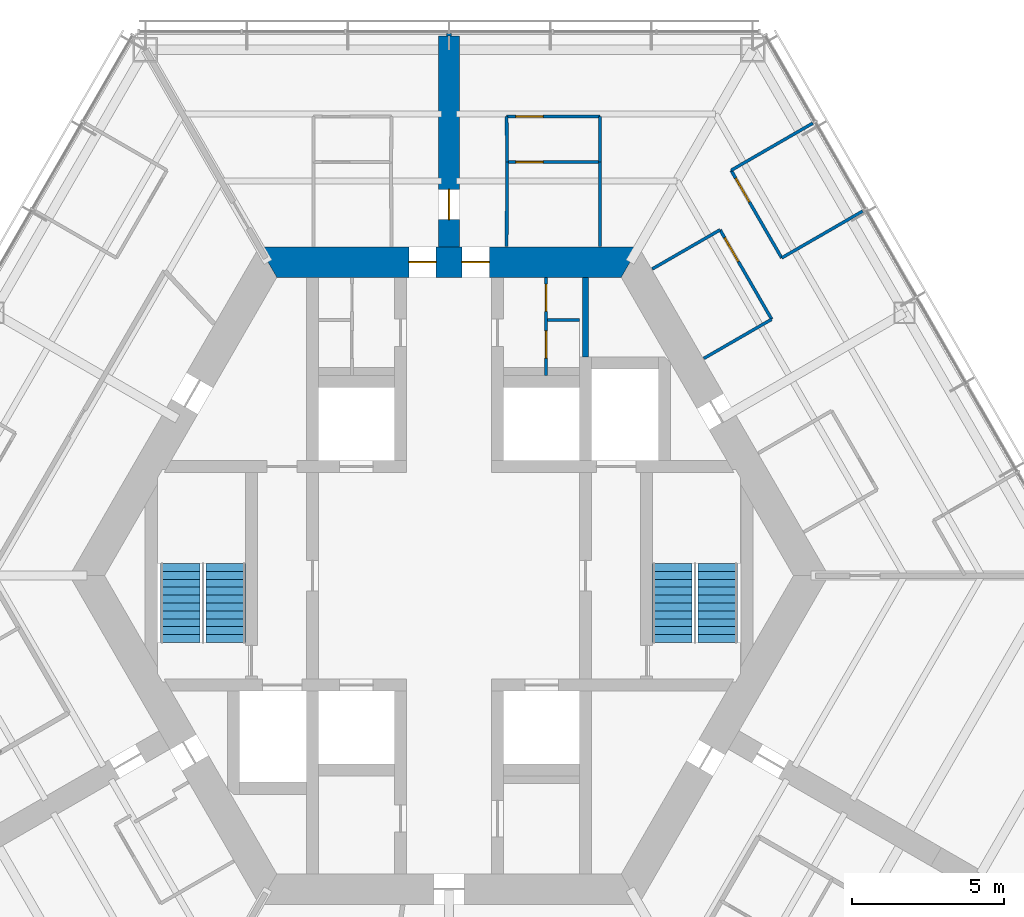
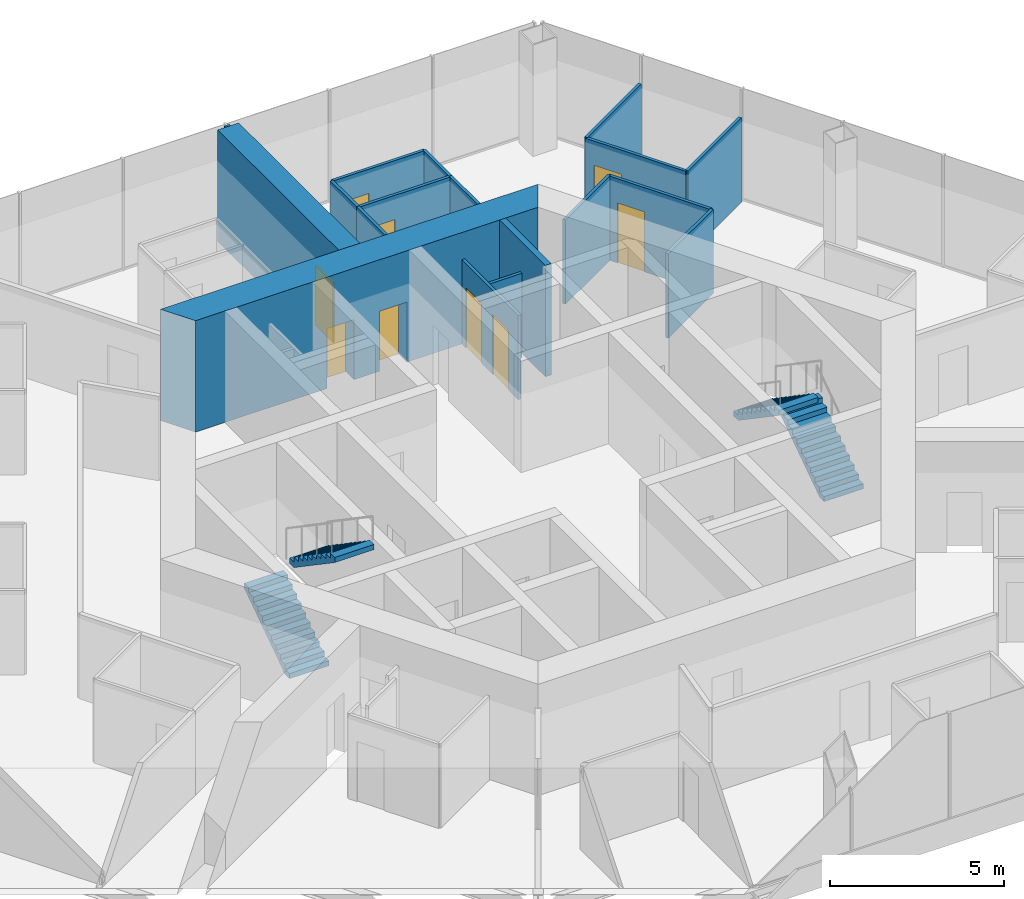
# One storey, part 16 of 19: 18 walls, 9 doors, 4 stair flights, 9 openings, 2 elements without a shape of their own.
"""IFC4 building model written with IfcOpenShell, lengths in metres."""

from ifc_helpers import new_model, si_unit, direction, frame, frame_2d, origin, place, context, subcontext, project, spatial, polyline, rectangle, outline, extrude, material, layer, layer_set, type_object, element, fill, aggregate, save


model = new_model("IFC4")

# Units and contexts
model_context = context("Model", 3, precision=1e-05, world=origin(), true_north=direction((0.0, 1.0)))
body_context = subcontext(model_context, "Body", "Model", "MODEL_VIEW")
ifc_project = project(units=[si_unit("LENGTHUNIT", "METRE"), si_unit("AREAUNIT", "SQUARE_METRE"), si_unit("VOLUMEUNIT", "CUBIC_METRE"), si_unit("PLANEANGLEUNIT", "RADIAN"), si_unit("MASSUNIT", "GRAM", prefix="KILO")], contexts=[model_context])

# Site, building, storey
site_placement = place(None, origin())
site = spatial("IfcSite", under=ifc_project, at=site_placement, CompositionType="ELEMENT")
building_placement = place(site_placement, origin())
building = spatial("IfcBuilding", under=site, at=building_placement, Name="Kasaneha Research Tower", CompositionType="ELEMENT")
storey_placement = place(building_placement, frame((0.0, 0.0, 164.300048828125)))
storey = spatial("IfcBuildingStorey", under=building, at=storey_placement, Name="L41", CompositionType="ELEMENT", Elevation=164.300048828125)

# Wall, openings, doors
ifc_material_1 = material(Name="Concrete Fc70", Category="concrete")
ifc_layer_1 = layer(ifc_material_1, 1.0)
ifc_layer_set_1 = layer_set([ifc_layer_1], Name="Core wall 1000 Fc70")
wall_type_1 = type_object("IfcWallType", Name="Core wall 1000 Fc70", PredefinedType="SHEAR", material=ifc_layer_set_1)
wall_1_placement = place(storey_placement, frame((5.961181640625, 10.324951171875, 0.0), z_axis=(0.0, 0.0, 1.0), x_axis=(-1.0, 0.0, 0.0)))
wall_1 = element("IfcWall", 1, at=wall_1_placement, inside=storey, type_object=wall_type_1, Name="Core wall 090 L41", PredefinedType="SHEAR", context=body_context, shape_type="SweptSolid", body=[
    extrude(outline(polyline([(-0.28857421875, -0.5), (4.63623046875, -0.5), (5.5361328125, -0.5), (6.38623046875, -0.5), (7.2861328125, -0.5), (12.2109375, -0.5), (11.6337890625, 0.5), (7.2861328125, 0.5), (6.38623046875, 0.5), (5.5361328125, 0.5), (4.63623046875, 0.5), (0.28857421875, 0.5), (-0.28857421875, -0.5)])), origin(), (0.0, 0.0, 1.0), 3.89990234375),
])
opening_1_placement = place(wall_1_placement, frame((6.38623046875, 0.0, 0.0)))
opening_1 = element("IfcOpeningElement", 2, at=opening_1_placement, cuts=wall_1, Name="Opening L41-D01", PredefinedType="OPENING", context=body_context, shape_type="SweptSolid", body=[
    extrude(rectangle(XDim=0.89990234375, YDim=2.10009765625, at=frame_2d((0.449951171875, 1.050048828125))), frame((0.0, 0.510009765625, 0.0), z_axis=(0.0, -1.0, 0.0), x_axis=(1.0, 0.0, 0.0)), (0.0, 0.0, 1.0), 1.02001953125),
])
opening_2_placement = place(wall_1_placement, frame((4.63623046875, 0.0, 0.0)))
opening_2 = element("IfcOpeningElement", 3, at=opening_2_placement, cuts=wall_1, Name="Opening L41-D02", PredefinedType="OPENING", context=body_context, shape_type="SweptSolid", body=[
    extrude(rectangle(XDim=0.89990234375, YDim=2.10009765625, at=frame_2d((0.449951171875, 1.050048828125))), frame((0.0, 0.510009765625, 0.0), z_axis=(0.0, -1.0, 0.0), x_axis=(1.0, 0.0, 0.0)), (0.0, 0.0, 1.0), 1.02001953125),
])
ifc_material_2 = material(Name="Steel", Category="steel")
door_type_1 = type_object("IfcDoorType", Name="Toilet door FD20 900x2100", OperationType="NOTDEFINED", PredefinedType="DOOR", material=ifc_material_2)
door_1_placement = place(opening_1_placement, origin())
door_1 = element("IfcDoor", 4, at=door_1_placement, inside=storey, type_object=door_type_1, Name="Core door north 1 L41-D01", OperationType="SINGLE_SWING_RIGHT", OverallHeight=2.10009765625, OverallWidth=0.89990234375, PredefinedType="DOOR", context=body_context, shape_type="SweptSolid", body=[
    extrude(rectangle(XDim=0.89990234375, YDim=2.10009765625, at=frame_2d((0.449951171875, 1.050048828125))), frame((0.0, 0.02490234375, 0.0), z_axis=(0.0, -1.0, 0.0), x_axis=(1.0, 0.0, 0.0)), (0.0, 0.0, 1.0), 0.050048828125),
])
fill(opening_1, door_1)
door_2_placement = place(opening_2_placement, origin())
door_2 = element("IfcDoor", 5, at=door_2_placement, inside=storey, type_object=door_type_1, Name="Core door north 2 L41-D02", OperationType="SINGLE_SWING_LEFT", OverallHeight=2.10009765625, OverallWidth=0.89990234375, PredefinedType="DOOR", context=body_context, shape_type="SweptSolid", body=[
    extrude(rectangle(XDim=0.89990234375, YDim=2.10009765625, at=frame_2d((0.449951171875, 1.050048828125))), frame((0.0, 0.02490234375, 0.0), z_axis=(0.0, -1.0, 0.0), x_axis=(1.0, 0.0, 0.0)), (0.0, 0.0, 1.0), 0.050048828125),
])
fill(opening_2, door_2)

ifc_material_3 = material(Name="Gypsum board on steel studs, one layer each side", Category="steel")
ifc_layer_2 = layer(ifc_material_3, 0.10009765625)
ifc_layer_set_2 = layer_set([ifc_layer_2], Name="Office partition 100")
wall_type_2 = type_object("IfcWallType", Name="Office partition 100", PredefinedType="PARTITIONING", material=ifc_layer_set_2)
wall_2_placement = place(storey_placement, frame((3.199951171875, 6.60009765625, 0.0), z_axis=(0.0, 0.0, 1.0), x_axis=(0.0, 1.0, 0.0)))
wall_2 = element("IfcWall", 6, at=wall_2_placement, inside=storey, type_object=wall_type_2, Name="Office partition TBF1 L41", PredefinedType="PARTITIONING", context=body_context, shape_type="SweptSolid", body=[
    extrude(rectangle(XDim=3.224853515625, YDim=0.10009765625, at=frame_2d((1.6123046875, 0.0))), origin(), (0.0, 0.0, 1.0), 2.949951171875),
])
opening_3_placement = place(wall_2_placement, frame((0.5625, 0.0, 0.0)))
opening_3 = element("IfcOpeningElement", 7, at=opening_3_placement, cuts=wall_2, Name="Opening L41-D22", PredefinedType="OPENING", context=body_context, shape_type="SweptSolid", body=[
    extrude(rectangle(XDim=0.89990234375, YDim=2.10009765625, at=frame_2d((0.449951171875, 1.050048828125))), frame((0.0, 0.06005859375, 0.0), z_axis=(0.0, -1.0, 0.0), x_axis=(1.0, 0.0, 0.0)), (0.0, 0.0, 1.0), 0.1201171875),
])
opening_4_placement = place(wall_2_placement, frame((2.10009765625, 0.0, 0.0)))
opening_4 = element("IfcOpeningElement", 8, at=opening_4_placement, cuts=wall_2, Name="Opening L41-D23", PredefinedType="OPENING", context=body_context, shape_type="SweptSolid", body=[
    extrude(rectangle(XDim=0.89990234375, YDim=2.10009765625, at=frame_2d((0.449951171875, 1.050048828125))), frame((0.0, 0.06005859375, 0.0), z_axis=(0.0, -1.0, 0.0), x_axis=(1.0, 0.0, 0.0)), (0.0, 0.0, 1.0), 0.1201171875),
])
ifc_material_4 = material(Name="Steel", Category="steel")
door_type_2 = type_object("IfcDoorType", Name="Toilet lobby door FD30 900x2100", OperationType="NOTDEFINED", PredefinedType="DOOR", material=ifc_material_4)
door_3_placement = place(opening_3_placement, origin())
door_3 = element("IfcDoor", 9, at=door_3_placement, inside=storey, type_object=door_type_2, Name="Women's WC door L41-D22", OperationType="SINGLE_SWING_RIGHT", OverallHeight=2.10009765625, OverallWidth=0.89990234375, PredefinedType="DOOR", context=body_context, shape_type="SweptSolid", body=[
    extrude(rectangle(XDim=0.89990234375, YDim=2.10009765625, at=frame_2d((0.449951171875, 1.050048828125))), frame((0.0, 0.02490234375, 0.0), z_axis=(0.0, -1.0, 0.0), x_axis=(1.0, 0.0, 0.0)), (0.0, 0.0, 1.0), 0.050048828125),
])
fill(opening_3, door_3)
door_4_placement = place(opening_4_placement, origin())
door_4 = element("IfcDoor", 10, at=door_4_placement, inside=storey, type_object=door_type_2, Name="Parents' room door L41-D23", OperationType="SINGLE_SWING_RIGHT", OverallHeight=2.10009765625, OverallWidth=0.89990234375, PredefinedType="DOOR", context=body_context, shape_type="SweptSolid", body=[
    extrude(rectangle(XDim=0.89990234375, YDim=2.10009765625, at=frame_2d((0.449951171875, 1.050048828125))), frame((0.0, 0.02490234375, 0.0), z_axis=(0.0, -1.0, 0.0), x_axis=(1.0, 0.0, 0.0)), (0.0, 0.0, 1.0), 0.050048828125),
])
fill(opening_4, door_4)

# Wall
wall_3_placement = place(storey_placement, frame((3.25, 8.425048828125, 0.0), z_axis=(0.0, 0.0, 1.0), x_axis=(1.0, 0.0, 0.0)))
element("IfcWall", 11, at=wall_3_placement, inside=storey, type_object=wall_type_2, Name="Office partition TBF2 L41", PredefinedType="PARTITIONING", context=body_context, shape_type="SweptSolid", body=[
    extrude(rectangle(XDim=1.050048828125, YDim=0.10009765625, at=frame_2d((0.52490234375, 0.0))), origin(), (0.0, 0.0, 1.0), 2.949951171875),
])

# Wall, opening, door
wall_4_placement = place(storey_placement, frame((1.89990234375, 13.6201171875, 0.0), z_axis=(0.0, 0.0, 1.0), x_axis=(1.0, 0.0, 0.0)))
wall_4 = element("IfcWall", 12, at=wall_4_placement, inside=storey, type_object=wall_type_2, Name="Office partition FAE01 L41", PredefinedType="PARTITIONING", context=body_context, shape_type="SweptSolid", body=[
    extrude(rectangle(XDim=3.071044921875, YDim=0.10009765625, at=frame_2d((1.53564453125, 0.0))), origin(), (0.0, 0.0, 1.0), 2.949951171875),
])
opening_5_placement = place(wall_4_placement, frame((0.300048828125, 0.0, 0.0)))
opening_5 = element("IfcOpeningElement", 13, at=opening_5_placement, cuts=wall_4, Name="Opening L41-D27", PredefinedType="OPENING", context=body_context, shape_type="SweptSolid", body=[
    extrude(rectangle(XDim=0.89990234375, YDim=2.10009765625, at=frame_2d((0.449951171875, 1.050048828125))), frame((0.0, 0.06005859375, 0.0), z_axis=(0.0, -1.0, 0.0), x_axis=(1.0, 0.0, 0.0)), (0.0, 0.0, 1.0), 0.1201171875),
])
door_5_placement = place(opening_5_placement, origin())
door_5 = element("IfcDoor", 14, at=door_5_placement, inside=storey, type_object=door_type_2, Name="Women's WC door L41-D27", OperationType="SINGLE_SWING_LEFT", OverallHeight=2.10009765625, OverallWidth=0.89990234375, PredefinedType="DOOR", context=body_context, shape_type="SweptSolid", body=[
    extrude(rectangle(XDim=0.89990234375, YDim=2.10009765625, at=frame_2d((0.449951171875, 1.050048828125))), frame((0.0, 0.02490234375, 0.0), z_axis=(0.0, -1.0, 0.0), x_axis=(1.0, 0.0, 0.0)), (0.0, 0.0, 1.0), 0.050048828125),
])
fill(opening_5, door_5)

# Walls
for number, where, z_axis, x_axis, name in (
    (15, (1.89990234375, 10.844970703125, 0.0), (0.0, 0.0, 1.0), (0.001668567099, 0.999998607941, 0.0), "Office partition FAE02 L41"),
    (16, (4.96630859375, 13.625, 0.0), (0.0, 0.0, 1.0), (0.001668567099, -0.999998607941, 0.0), "Office partition FAE03 L41"),
):
    element("IfcWall", number, at=place(storey_placement, frame(where, z_axis=z_axis, x_axis=x_axis)), inside=storey, type_object=wall_type_2, Name=name, PredefinedType="PARTITIONING", context=body_context, shape_type="SweptSolid", body=[
        extrude(rectangle(XDim=2.780029296875, YDim=0.10009765625, at=frame_2d((1.39013671875, 0.0))), origin(), (0.0, 0.0, 1.0), 2.949951171875),
    ])

# Wall, opening, door
wall_5_placement = place(storey_placement, frame((1.89990234375, 15.125, 0.0), z_axis=(0.0, 0.0, 1.0), x_axis=(1.0, 0.0, 0.0)))
wall_5 = element("IfcWall", 17, at=wall_5_placement, inside=storey, type_object=wall_type_2, Name="Office partition FAE04 L41", PredefinedType="PARTITIONING", context=body_context, shape_type="SweptSolid", body=[
    extrude(rectangle(XDim=3.071044921875, YDim=0.10009765625, at=frame_2d((1.53564453125, 0.0))), origin(), (0.0, 0.0, 1.0), 2.949951171875),
])
opening_6_placement = place(wall_5_placement, frame((0.300048828125, 0.0, 0.0)))
opening_6 = element("IfcOpeningElement", 18, at=opening_6_placement, cuts=wall_5, Name="Opening L41-D28", PredefinedType="OPENING", context=body_context, shape_type="SweptSolid", body=[
    extrude(rectangle(XDim=0.89990234375, YDim=2.10009765625, at=frame_2d((0.449951171875, 1.050048828125))), frame((0.0, 0.06005859375, 0.0), z_axis=(0.0, -1.0, 0.0), x_axis=(1.0, 0.0, 0.0)), (0.0, 0.0, 1.0), 0.1201171875),
])
door_6_placement = place(opening_6_placement, origin())
door_6 = element("IfcDoor", 19, at=door_6_placement, inside=storey, type_object=door_type_2, Name="Toilet lobby door L41-D28", OperationType="SINGLE_SWING_LEFT", OverallHeight=2.10009765625, OverallWidth=0.89990234375, PredefinedType="DOOR", context=body_context, shape_type="SweptSolid", body=[
    extrude(rectangle(XDim=0.89990234375, YDim=2.10009765625, at=frame_2d((0.449951171875, 1.050048828125))), frame((0.0, 0.02490234375, 0.0), z_axis=(0.0, -1.0, 0.0), x_axis=(1.0, 0.0, 0.0)), (0.0, 0.0, 1.0), 0.050048828125),
])
fill(opening_6, door_6)

# Walls
for number, where, z_axis, x_axis, name in (
    (20, (1.904541015625, 13.625, 0.0), (0.0, 0.0, 1.0), (-0.00309243313, 0.999995218417, 0.0), "Office partition FAE05 L41"),
    (21, (4.970947265625, 15.125, 0.0), (0.0, 0.0, 1.0), (-0.00309243313, -0.999995218417, 0.0), "Office partition FAE06 L41"),
):
    element("IfcWall", number, at=place(storey_placement, frame(where, z_axis=z_axis, x_axis=x_axis)), inside=storey, type_object=wall_type_2, Name=name, PredefinedType="PARTITIONING", context=body_context, shape_type="SweptSolid", body=[
        extrude(rectangle(XDim=1.5, YDim=0.10009765625, at=frame_2d((0.75, 0.0))), origin(), (0.0, 0.0, 1.0), 2.949951171875),
    ])
wall_6_placement = place(storey_placement, frame((9.29052734375, 13.34912109375, 0.0), z_axis=(0.0, 0.0, 1.0), x_axis=(0.866042875753, 0.499969736442, 0.0)))
element("IfcWall", 22, at=wall_6_placement, inside=storey, type_object=wall_type_2, Name="Office partition FAE10 L41", PredefinedType="PARTITIONING", context=body_context, shape_type="SweptSolid", body=[
    extrude(rectangle(XDim=3.105224609375, YDim=0.10009765625, at=frame_2d((1.552734375, 0.0))), origin(), (0.0, 0.0, 1.0), 2.949951171875),
])

# Wall, opening, door
wall_7_placement = place(storey_placement, frame((10.9560546875, 10.464599609375, 0.0), z_axis=(0.0, 0.0, 1.0), x_axis=(-0.500033344505, 0.86600615147, 0.0)))
wall_7 = element("IfcWall", 23, at=wall_7_placement, inside=storey, type_object=wall_type_2, Name="Office partition FAE11 L41", PredefinedType="PARTITIONING", context=body_context, shape_type="SweptSolid", body=[
    extrude(rectangle(XDim=3.330810546875, YDim=0.10009765625, at=frame_2d((1.66552734375, 0.0))), origin(), (0.0, 0.0, 1.0), 2.949951171875),
])
opening_7_placement = place(wall_7_placement, frame((2.131103515625, 0.0, 0.0)))
opening_7 = element("IfcOpeningElement", 24, at=opening_7_placement, cuts=wall_7, Name="Opening L41-D30", PredefinedType="OPENING", context=body_context, shape_type="SweptSolid", body=[
    extrude(rectangle(XDim=0.89990234375, YDim=2.10009765625, at=frame_2d((0.449951171875, 1.050048828125))), frame((0.0, 0.06005859375, 0.0), z_axis=(0.0, -1.0, 0.0), x_axis=(1.0, 0.0, 0.0)), (0.0, 0.0, 1.0), 0.1201171875),
])
ifc_material_5 = material(Name="Timber veneer", Category="wood")
door_type_3 = type_object("IfcDoorType", Name="Office door 900x2100", OperationType="SINGLE_SWING_LEFT", PredefinedType="DOOR", material=ifc_material_5)
door_7_placement = place(opening_7_placement, origin())
door_7 = element("IfcDoor", 25, at=door_7_placement, inside=storey, type_object=door_type_3, Name="Manager's office door L41-D30", OperationType="SINGLE_SWING_RIGHT", OverallHeight=2.10009765625, OverallWidth=0.89990234375, PredefinedType="DOOR", context=body_context, shape_type="SweptSolid", body=[
    extrude(rectangle(XDim=0.89990234375, YDim=2.10009765625, at=frame_2d((0.449951171875, 1.050048828125))), frame((0.0, 0.02490234375, 0.0), z_axis=(0.0, -1.0, 0.0), x_axis=(1.0, 0.0, 0.0)), (0.0, 0.0, 1.0), 0.050048828125),
])
fill(opening_7, door_7)

# Walls
wall_8_placement = place(storey_placement, frame((13.623291015625, 12.00439453125, 0.0), z_axis=(0.0, 0.0, 1.0), x_axis=(-0.866044340336, -0.499967199496, 0.0)))
element("IfcWall", 26, at=wall_8_placement, inside=storey, type_object=wall_type_2, Name="Office partition FAE12 L41", PredefinedType="PARTITIONING", context=body_context, shape_type="SweptSolid", body=[
    extrude(rectangle(XDim=3.079833984375, YDim=0.10009765625, at=frame_2d((1.5400390625, 0.0))), origin(), (0.0, 0.0, 1.0), 2.949951171875),
])
wall_9_placement = place(storey_placement, frame((6.69189453125, 10.09912109375, 0.0), z_axis=(0.0, 0.0, 1.0), x_axis=(0.866086324858, 0.499894466757, 0.0)))
element("IfcWall", 27, at=wall_9_placement, inside=storey, type_object=wall_type_2, Name="Office partition FAE13 L41", PredefinedType="PARTITIONING", context=body_context, shape_type="SweptSolid", body=[
    extrude(rectangle(XDim=2.580078125, YDim=0.10009765625, at=frame_2d((1.2900390625, 0.0))), origin(), (0.0, 0.0, 1.0), 2.949951171875),
])

# Wall, opening, door
wall_10_placement = place(storey_placement, frame((8.926513671875, 11.388916015625, 0.0), z_axis=(0.0, 0.0, 1.0), x_axis=(0.500008388397, -0.866020560687, 0.0)))
wall_10 = element("IfcWall", 28, at=wall_10_placement, inside=storey, type_object=wall_type_2, Name="Office partition FAE14 L41", PredefinedType="PARTITIONING", context=body_context, shape_type="SweptSolid", body=[
    extrude(rectangle(XDim=3.39990234375, YDim=0.10009765625, at=frame_2d((1.699951171875, 0.0))), origin(), (0.0, 0.0, 1.0), 2.949951171875),
])
opening_8_placement = place(wall_10_placement, frame((0.300048828125, 0.0, 0.0)))
opening_8 = element("IfcOpeningElement", 29, at=opening_8_placement, cuts=wall_10, Name="Opening L41-D31", PredefinedType="OPENING", context=body_context, shape_type="SweptSolid", body=[
    extrude(rectangle(XDim=0.89990234375, YDim=2.10009765625, at=frame_2d((0.449951171875, 1.050048828125))), frame((0.0, 0.06005859375, 0.0), z_axis=(0.0, -1.0, 0.0), x_axis=(1.0, 0.0, 0.0)), (0.0, 0.0, 1.0), 0.1201171875),
])
door_8_placement = place(opening_8_placement, origin())
door_8 = element("IfcDoor", 30, at=door_8_placement, inside=storey, type_object=door_type_3, Name="Mail room door L41-D31", OperationType="SINGLE_SWING_LEFT", OverallHeight=2.10009765625, OverallWidth=0.89990234375, PredefinedType="DOOR", context=body_context, shape_type="SweptSolid", body=[
    extrude(rectangle(XDim=0.89990234375, YDim=2.10009765625, at=frame_2d((0.449951171875, 1.050048828125))), frame((0.0, 0.02490234375, 0.0), z_axis=(0.0, -1.0, 0.0), x_axis=(1.0, 0.0, 0.0)), (0.0, 0.0, 1.0), 0.050048828125),
])
fill(opening_8, door_8)

# Walls
wall_11_placement = place(storey_placement, frame((10.62646484375, 8.444580078125, 0.0), z_axis=(0.0, 0.0, 1.0), x_axis=(-0.866021702275, -0.500006411147, 0.0)))
element("IfcWall", 31, at=wall_11_placement, inside=storey, type_object=wall_type_2, Name="Office partition FAE15 L41", PredefinedType="PARTITIONING", context=body_context, shape_type="SweptSolid", body=[
    extrude(rectangle(XDim=2.580078125, YDim=0.10009765625, at=frame_2d((1.2900390625, 0.0))), origin(), (0.0, 0.0, 1.0), 2.949951171875),
])
ifc_material_6 = material(Name="Concrete block", Category="concrete")
ifc_layer_3 = layer(ifc_material_6, 0.199951171875)
ifc_layer_set_3 = layer_set([ifc_layer_3], Name="Riser enclosure wall 200")
wall_type_3 = type_object("IfcWallType", Name="Riser enclosure wall 200", PredefinedType="STANDARD", material=ifc_layer_set_3)
wall_12_placement = place(storey_placement, frame((4.5, 7.199951171875, 0.0), z_axis=(0.0, 0.0, 1.0), x_axis=(0.0, 1.0, 0.0)))
element("IfcWall", 32, at=wall_12_placement, inside=storey, type_object=wall_type_3, Name="Riser enclosure wall L41", PredefinedType="STANDARD", context=body_context, shape_type="SweptSolid", body=[
    extrude(rectangle(XDim=2.625, YDim=0.199951171875, at=frame_2d((1.3125, 0.0))), origin(), (0.0, 0.0, 1.0), 3.89990234375),
])

# Wall, opening, door
ifc_material_7 = material(Name="Concrete Fc70", Category="concrete")
ifc_layer_4 = layer(ifc_material_7, 0.699951171875)
ifc_layer_set_4 = layer_set([ifc_layer_4], Name="Spine wall 700 Fc70")
wall_type_4 = type_object("IfcWallType", Name="Spine wall 700 Fc70", PredefinedType="SHEAR", material=ifc_layer_set_4)
wall_13_placement = place(storey_placement, frame((0.0, 10.824951171875, 0.0), z_axis=(0.0, 0.0, 1.0), x_axis=(0.0, 1.0, 0.0)))
wall_13 = element("IfcWall", 33, at=wall_13_placement, inside=storey, type_object=wall_type_4, Name="Spine wall A L41", PredefinedType="SHEAR", context=body_context, shape_type="SweptSolid", body=[
    extrude(rectangle(XDim=6.945556640625, YDim=0.699951171875, at=frame_2d((3.47265625, 0.0))), origin(), (0.0, 0.0, 1.0), 3.89990234375),
])
opening_9_placement = place(wall_13_placement, frame((0.89990234375, 0.0, 0.0)))
opening_9 = element("IfcOpeningElement", 34, at=opening_9_placement, cuts=wall_13, Name="Opening L41-D17", PredefinedType="OPENING", context=body_context, shape_type="SweptSolid", body=[
    extrude(rectangle(XDim=1.0, YDim=2.10009765625, at=frame_2d((0.5, 1.050048828125))), frame((0.0, 0.35986328125, 0.0), z_axis=(0.0, -1.0, 0.0), x_axis=(1.0, 0.0, 0.0)), (0.0, 0.0, 1.0), 0.719970703125),
])
ifc_material_8 = material(Name="Steel", Category="steel")
door_type_4 = type_object("IfcDoorType", Name="Specified fire door FD60 1000x2100", OperationType="NOTDEFINED", PredefinedType="DOOR", material=ifc_material_8)
door_9_placement = place(opening_9_placement, origin())
door_9 = element("IfcDoor", 35, at=door_9_placement, inside=storey, type_object=door_type_4, Name="Spine doorway A L41-D17", OperationType="SINGLE_SWING_LEFT", OverallHeight=2.10009765625, OverallWidth=1.0, PredefinedType="DOOR", context=body_context, shape_type="SweptSolid", body=[
    extrude(rectangle(XDim=1.0, YDim=2.10009765625, at=frame_2d((0.5, 1.050048828125))), frame((0.0, 0.02490234375, 0.0), z_axis=(0.0, -1.0, 0.0), x_axis=(1.0, 0.0, 0.0)), (0.0, 0.0, 1.0), 0.050048828125),
])
fill(opening_9, door_9)

# Wall
ifc_material_9 = material(Name="Gypsum board on steel studs, two layers each side", Category="steel")
ifc_layer_5 = layer(ifc_material_9, 0.175048828125)
ifc_layer_set_5 = layer_set([ifc_layer_5], Name="Tenancy fire partition 175")
wall_type_5 = type_object("IfcWallType", Name="Tenancy fire partition 175", PredefinedType="PARTITIONING", material=ifc_layer_set_5)
wall_14_placement = place(storey_placement, frame((0.0, 17.7705078125, 0.0), z_axis=(0.0, 0.0, 1.0), x_axis=(0.0, 1.0, 0.0)))
element("IfcWall", 36, at=wall_14_placement, inside=storey, type_object=wall_type_5, Name="Spine wall closer SW3-700 L41", PredefinedType="PARTITIONING", context=body_context, shape_type="SweptSolid", body=[
    extrude(rectangle(XDim=0.080078125, YDim=0.175048828125, at=frame_2d((0.0400390625, 0.0))), origin(), (0.0, 0.0, 1.0), 3.89990234375),
])

# Stair, stair flights
ifc_material_10 = material(Name="Concrete Fc24", Category="concrete")
stair_type = type_object("IfcStairType", Name="Half-turn stair 22 risers", PredefinedType="HALF_TURN_STAIR", material=ifc_material_10)
stair_1_placement = place(storey_placement, origin())
stair_1 = element("IfcStair", 37, at=stair_1_placement, inside=storey, type_object=stair_type, Name="Stair 1 L41", PredefinedType="HALF_TURN_STAIR")
ifc_material_11 = material(Name="Concrete Fc24", Category="concrete")
stair_flight_type = type_object("IfcStairFlightType", Name="Stair flight 11 risers 177.3", PredefinedType="STRAIGHT", material=ifc_material_11)
stair_flight_1_placement = place(storey_placement, frame((8.85009765625, -2.199951171875, 0.0), z_axis=(0.0, 0.0, 1.0), x_axis=(0.0, 1.0, 0.0)))
stair_flight_1 = element("IfcStairFlight", 38, at=stair_flight_1_placement, type_object=stair_flight_type, Name="ST1-22R flight 1", NumberOfRisers=11, NumberOfTreads=10, PredefinedType="STRAIGHT", RiserHeight=0.177272727, TreadLength=0.26, context=body_context, shape_type="SweptSolid", body=[
    extrude(outline(polyline([(0.0, 0.0), (0.0, 0.17724609375), (0.260009765625, 0.17724609375), (0.260009765625, 0.3544921875), (0.52001953125, 0.3544921875), (0.52001953125, 0.53173828125), (0.780029296875, 0.53173828125), (0.780029296875, 0.708984375), (1.0400390625, 0.708984375), (1.0400390625, 0.886474609375), (1.300048828125, 0.886474609375), (1.300048828125, 1.063720703125), (1.56005859375, 1.063720703125), (1.56005859375, 1.240966796875), (1.820068359375, 1.240966796875), (1.820068359375, 1.418212890625), (2.080078125, 1.418212890625), (2.080078125, 1.595458984375), (2.340087890625, 1.595458984375), (2.340087890625, 1.772705078125), (2.60009765625, 1.772705078125), (2.60009765625, 1.949951171875), (2.60009765625, 1.59130859375), (0.26611328125, 0.0), (0.0, 0.0)])), frame((0.0, 0.64990234375, 0.0), z_axis=(0.0, -1.0, 0.0), x_axis=(1.0, 0.0, 0.0)), (0.0, 0.0, 1.0), 1.300048828125),
])
stair_flight_2_placement = place(storey_placement, frame((7.35009765625, 0.39990234375, 1.949951171875), z_axis=(0.0, 0.0, 1.0), x_axis=(0.0, -1.0, 0.0)))
stair_flight_2 = element("IfcStairFlight", 39, at=stair_flight_2_placement, type_object=stair_flight_type, Name="ST1-22R flight 2", NumberOfRisers=11, NumberOfTreads=10, PredefinedType="STRAIGHT", RiserHeight=0.177272727, TreadLength=0.26, context=body_context, shape_type="SweptSolid", body=[
    extrude(outline(polyline([(0.0, 0.0), (0.0, 0.17724609375), (0.260009765625, 0.17724609375), (0.260009765625, 0.3544921875), (0.52001953125, 0.3544921875), (0.52001953125, 0.53173828125), (0.780029296875, 0.53173828125), (0.780029296875, 0.708984375), (1.0400390625, 0.708984375), (1.0400390625, 0.886474609375), (1.300048828125, 0.886474609375), (1.300048828125, 1.063720703125), (1.56005859375, 1.063720703125), (1.56005859375, 1.240966796875), (1.820068359375, 1.240966796875), (1.820068359375, 1.418212890625), (2.080078125, 1.418212890625), (2.080078125, 1.595458984375), (2.340087890625, 1.595458984375), (2.340087890625, 1.772705078125), (2.60009765625, 1.772705078125), (2.60009765625, 1.949951171875), (2.60009765625, 1.59130859375), (0.26611328125, 0.0), (0.0, 0.0)])), frame((0.0, 0.64990234375, 0.0), z_axis=(0.0, -1.0, 0.0), x_axis=(1.0, 0.0, 0.0)), (0.0, 0.0, 1.0), 1.300048828125),
])
aggregate(stair_1, [stair_flight_1, stair_flight_2])

stair_2_placement = place(storey_placement, origin())
stair_2 = element("IfcStair", 40, at=stair_2_placement, inside=storey, type_object=stair_type, Name="Stair 2 L41", PredefinedType="HALF_TURN_STAIR")
stair_flight_3_placement = place(storey_placement, frame((-8.85009765625, -2.199951171875, 0.0), z_axis=(0.0, 0.0, 1.0), x_axis=(0.0, 1.0, 0.0)))
stair_flight_3 = element("IfcStairFlight", 41, at=stair_flight_3_placement, type_object=stair_flight_type, Name="ST2-22R flight 1", NumberOfRisers=11, NumberOfTreads=10, PredefinedType="STRAIGHT", RiserHeight=0.177272727, TreadLength=0.26, context=body_context, shape_type="SweptSolid", body=[
    extrude(outline(polyline([(0.0, 0.0), (0.0, 0.17724609375), (0.260009765625, 0.17724609375), (0.260009765625, 0.3544921875), (0.52001953125, 0.3544921875), (0.52001953125, 0.53173828125), (0.780029296875, 0.53173828125), (0.780029296875, 0.708984375), (1.0400390625, 0.708984375), (1.0400390625, 0.886474609375), (1.300048828125, 0.886474609375), (1.300048828125, 1.063720703125), (1.56005859375, 1.063720703125), (1.56005859375, 1.240966796875), (1.820068359375, 1.240966796875), (1.820068359375, 1.418212890625), (2.080078125, 1.418212890625), (2.080078125, 1.595458984375), (2.340087890625, 1.595458984375), (2.340087890625, 1.772705078125), (2.60009765625, 1.772705078125), (2.60009765625, 1.949951171875), (2.60009765625, 1.59130859375), (0.26611328125, 0.0), (0.0, 0.0)])), frame((0.0, 0.64990234375, 0.0), z_axis=(0.0, -1.0, 0.0), x_axis=(1.0, 0.0, 0.0)), (0.0, 0.0, 1.0), 1.300048828125),
])
stair_flight_4_placement = place(storey_placement, frame((-7.35009765625, 0.39990234375, 1.949951171875), z_axis=(0.0, 0.0, 1.0), x_axis=(0.0, -1.0, 0.0)))
stair_flight_4 = element("IfcStairFlight", 42, at=stair_flight_4_placement, type_object=stair_flight_type, Name="ST2-22R flight 2", NumberOfRisers=11, NumberOfTreads=10, PredefinedType="STRAIGHT", RiserHeight=0.177272727, TreadLength=0.26, context=body_context, shape_type="SweptSolid", body=[
    extrude(outline(polyline([(0.0, 0.0), (0.0, 0.17724609375), (0.260009765625, 0.17724609375), (0.260009765625, 0.3544921875), (0.52001953125, 0.3544921875), (0.52001953125, 0.53173828125), (0.780029296875, 0.53173828125), (0.780029296875, 0.708984375), (1.0400390625, 0.708984375), (1.0400390625, 0.886474609375), (1.300048828125, 0.886474609375), (1.300048828125, 1.063720703125), (1.56005859375, 1.063720703125), (1.56005859375, 1.240966796875), (1.820068359375, 1.240966796875), (1.820068359375, 1.418212890625), (2.080078125, 1.418212890625), (2.080078125, 1.595458984375), (2.340087890625, 1.595458984375), (2.340087890625, 1.772705078125), (2.60009765625, 1.772705078125), (2.60009765625, 1.949951171875), (2.60009765625, 1.59130859375), (0.26611328125, 0.0), (0.0, 0.0)])), frame((0.0, 0.64990234375, 0.0), z_axis=(0.0, -1.0, 0.0), x_axis=(1.0, 0.0, 0.0)), (0.0, 0.0, 1.0), 1.300048828125),
])
aggregate(stair_2, [stair_flight_3, stair_flight_4])

save(model, "model.ifc")
